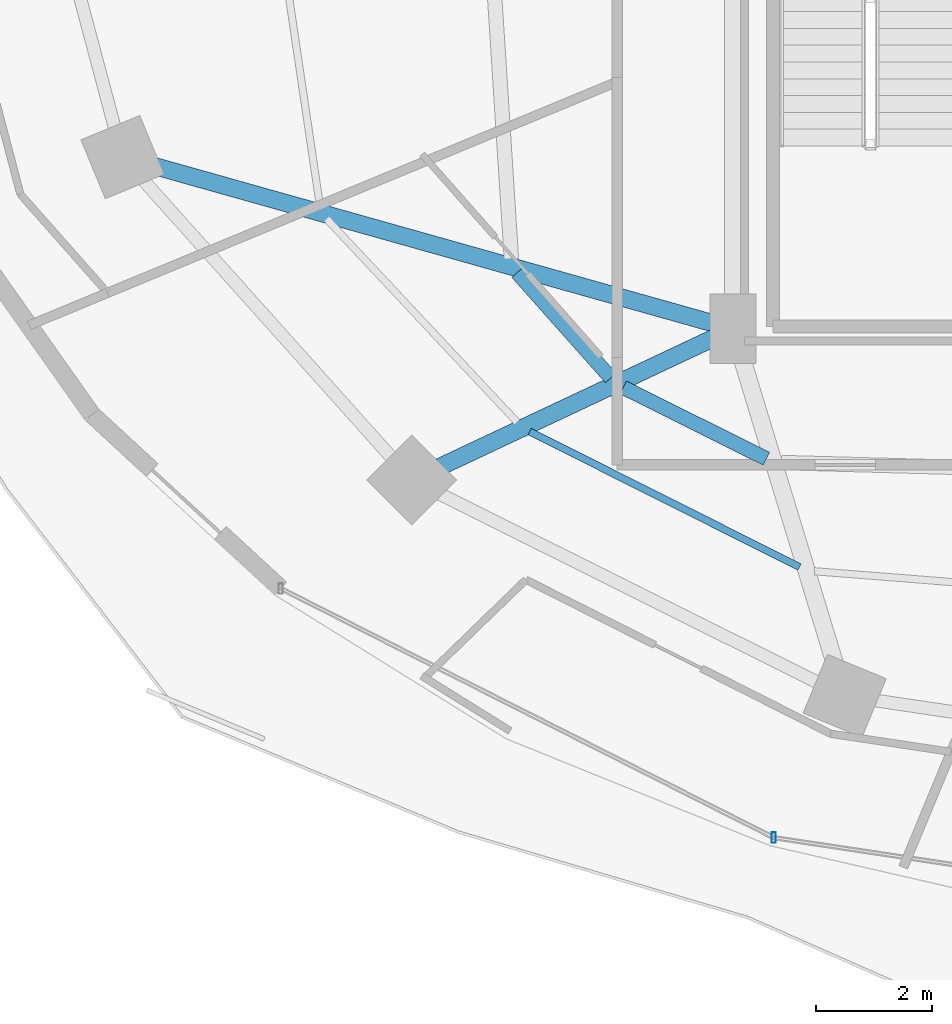
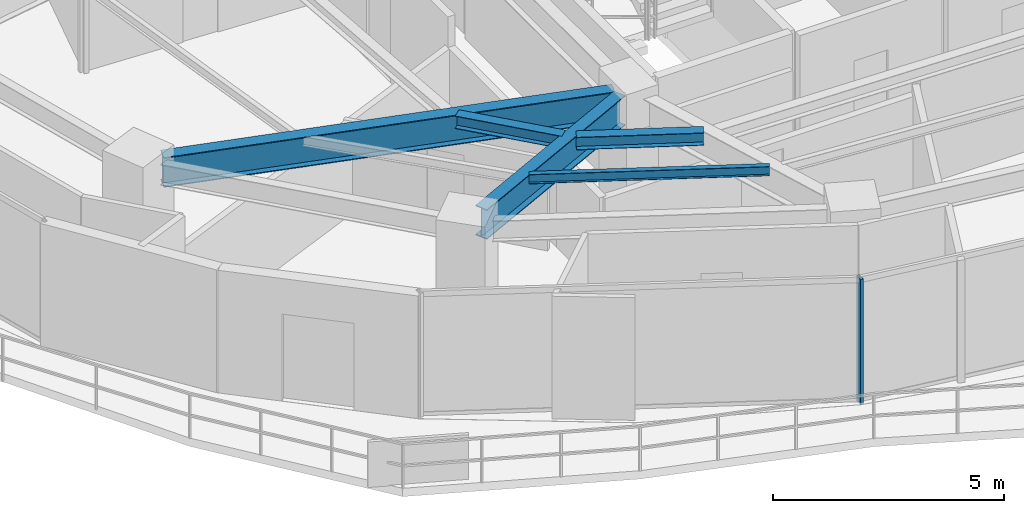
# One storey, part 4 of 31: 5 beams, 1 member, 1 element without a shape of its own.
"""IFC4 building model written with IfcOpenShell, lengths in metres."""

from ifc_helpers import new_model, si_unit, direction, frame, origin, origin_2d, place, context, subcontext, project, spatial, hollow_rectangle, i_section, extrude, material, material_profile, profile_set, type_object, element, aggregate, save


model = new_model("IFC4")

# Units and contexts
model_context = context("Model", 3, precision=1e-05, world=origin(), true_north=direction((0.0, 1.0)))
body_context = subcontext(model_context, "Body", "Model", "MODEL_VIEW")
ifc_project = project(units=[si_unit("LENGTHUNIT", "METRE"), si_unit("AREAUNIT", "SQUARE_METRE"), si_unit("VOLUMEUNIT", "CUBIC_METRE"), si_unit("PLANEANGLEUNIT", "RADIAN"), si_unit("MASSUNIT", "GRAM", prefix="KILO")], contexts=[model_context])

# Site, building, storey
site_placement = place(None, origin())
site = spatial("IfcSite", under=ifc_project, at=site_placement, CompositionType="ELEMENT")
building_placement = place(site_placement, origin())
building = spatial("IfcBuilding", under=site, at=building_placement, Name="Vorneva Point Tower", CompositionType="ELEMENT")
storey_placement = place(building_placement, frame((0.0, 0.0, 103.300048828125)))
storey = spatial("IfcBuildingStorey", under=building, at=storey_placement, Name="L27", CompositionType="ELEMENT", Elevation=103.300048828125)

# Beams
ifc_material_1 = material(Name="Steel S355", Category="steel")
ifc_material_profile_1 = material_profile(ifc_material_1, i_section(OverallWidth=0.300048828125, OverallDepth=0.7880859375, WebThickness=0.014404296875, FlangeThickness=0.02197265625, at=origin_2d()), Name="80Sh1")
ifc_profile_set_1 = profile_set([ifc_material_profile_1], Name="Steel S355")
beam_type_1 = type_object("IfcBeamType", Name="BM-GRD-80Sh1", PredefinedType="USERDEFINED", material=ifc_profile_set_1)
beam_1_placement = place(storey_placement, frame((17.222412109375, 19.272216796875, 2.845947265625), z_axis=(0.962598038366, -0.270933601708, 0.0), x_axis=(0.270933601708, 0.962598038366, 0.0)))
element("IfcBeam", 1, at=beam_1_placement, inside=storey, type_object=beam_type_1, Name="L27 Radial Primary Girder 10", ObjectType="GIRDER", PredefinedType="USERDEFINED", context=body_context, shape_type="SweptSolid", body=[
    extrude(i_section(OverallWidth=0.300048828125, OverallDepth=0.7880859375, WebThickness=0.014404296875, FlangeThickness=0.02197265625, at=origin_2d()), origin(), (0.0, 0.0, 1.0), 10.0771484375),
])
beam_2_placement = place(storey_placement, frame((22.18798828125, 14.06689453125, 2.845947265625), z_axis=(0.904751304927, 0.425940226126, 0.0), x_axis=(-0.425940226126, 0.904751304927, 0.0)))
element("IfcBeam", 2, at=beam_2_placement, inside=storey, type_object=beam_type_1, Name="L27 Radial Primary Girder 11", ObjectType="GIRDER", PredefinedType="USERDEFINED", context=body_context, shape_type="SweptSolid", body=[
    extrude(i_section(OverallWidth=0.300048828125, OverallDepth=0.7880859375, WebThickness=0.014404296875, FlangeThickness=0.02197265625, at=origin_2d()), origin(), (0.0, 0.0, 1.0), 5.2548828125),
])
ifc_material_profile_2 = material_profile(ifc_material_1, i_section(OverallWidth=0.1240234375, OverallDepth=0.248046875, WebThickness=0.0048828125, FlangeThickness=0.008056640625, at=origin_2d()), Name="25B1")
ifc_profile_set_2 = profile_set([ifc_material_profile_2], Name="Steel S355")
beam_type_2 = type_object("IfcBeamType", Name="BM-JST-25B1", PredefinedType="JOIST", material=ifc_profile_set_2)
beam_3_placement = place(storey_placement, frame((23.737548828125, 14.676513671875, 3.115966796875), z_axis=(0.893620424301, -0.448823503476, 0.0), x_axis=(0.448823503476, 0.893620424301, 0.0)))
element("IfcBeam", 3, at=beam_3_placement, inside=storey, type_object=beam_type_2, Name="L27 Secondary Floor Beam 1.11", PredefinedType="JOIST", context=body_context, shape_type="SweptSolid", body=[
    extrude(i_section(OverallWidth=0.1240234375, OverallDepth=0.248046875, WebThickness=0.0048828125, FlangeThickness=0.008056640625, at=origin_2d()), origin(), (0.0, 0.0, 1.0), 5.21435546875),
])
ifc_material_profile_3 = material_profile(ifc_material_1, i_section(OverallWidth=0.2490234375, OverallDepth=0.333984375, WebThickness=0.008056640625, FlangeThickness=0.010986328125, at=origin_2d()), Name="35Sh1")
ifc_profile_set_3 = profile_set([ifc_material_profile_3], Name="Steel S355")
beam_type_3 = type_object("IfcBeamType", Name="BM-SEC-35Sh1", PredefinedType="BEAM", material=ifc_profile_set_3)
beam_4_placement = place(storey_placement, frame((23.522216796875, 17.421875, 3.072998046875), z_axis=(0.664307805545, -0.747459122289, 0.0), x_axis=(0.747459122289, 0.664307805545, 0.0)))
element("IfcBeam", 4, at=beam_4_placement, inside=storey, type_object=beam_type_3, Name="L27 Secondary Floor Beam 2.10", PredefinedType="BEAM", context=body_context, shape_type="SweptSolid", body=[
    extrude(i_section(OverallWidth=0.2490234375, OverallDepth=0.333984375, WebThickness=0.008056640625, FlangeThickness=0.010986328125, at=origin_2d()), origin(), (0.0, 0.0, 1.0), 2.43408203125),
])
beam_5_placement = place(storey_placement, frame((25.354248046875, 15.43798828125, 3.072998046875), z_axis=(0.895132850835, -0.445799483351, 0.0), x_axis=(0.445799483351, 0.895132850835, 0.0)))
element("IfcBeam", 5, at=beam_5_placement, inside=storey, type_object=beam_type_3, Name="L27 Secondary Floor Beam 2.11", PredefinedType="BEAM", context=body_context, shape_type="SweptSolid", body=[
    extrude(i_section(OverallWidth=0.2490234375, OverallDepth=0.333984375, WebThickness=0.008056640625, FlangeThickness=0.010986328125, at=origin_2d()), origin(), (0.0, 0.0, 1.0), 2.763427734375),
])

# Curtain wall, member
ifc_material_2 = material(Name="Pale anodised aluminium", Category="aluminium")
curtain_wall_type = type_object("IfcCurtainWallType", Name="CW-HTL-SYS", PredefinedType="NOTDEFINED", material=ifc_material_2)
curtain_wall_placement = place(storey_placement, origin())
curtain_wall = element("IfcCurtainWall", 6, at=curtain_wall_placement, inside=storey, type_object=curtain_wall_type, Name="L27 Unitised Curtain Wall CW-L27-R04", PredefinedType="NOTDEFINED")
ifc_material_profile_4 = material_profile(ifc_material_2, hollow_rectangle(XDim=0.074951171875, YDim=0.179931640625, WallThickness=0.00390625, at=origin_2d()), Name="AL-MUL 180x75x4")
ifc_profile_set_4 = profile_set([ifc_material_profile_4], Name="Pale anodised aluminium")
member_type = type_object("IfcMemberType", Name="CW-MUL-180", PredefinedType="MULLION", material=ifc_profile_set_4)
member_placement = place(storey_placement, frame((27.95458984375, 7.660888671875, -0.0400390625), z_axis=(0.0, 0.0, 1.0), x_axis=(1.0, 0.0, 0.0)))
member = element("IfcMember", 7, at=member_placement, type_object=member_type, Name="CW-L27-R04 Mullion 02", PredefinedType="MULLION", context=body_context, shape_type="SweptSolid", body=[
    extrude(hollow_rectangle(XDim=0.074951171875, YDim=0.179931640625, WallThickness=0.00390625, at=origin_2d()), origin(), (0.0, 0.0, 1.0), 3.31005859375),
])
aggregate(curtain_wall, [member])

save(model, "model.ifc")
